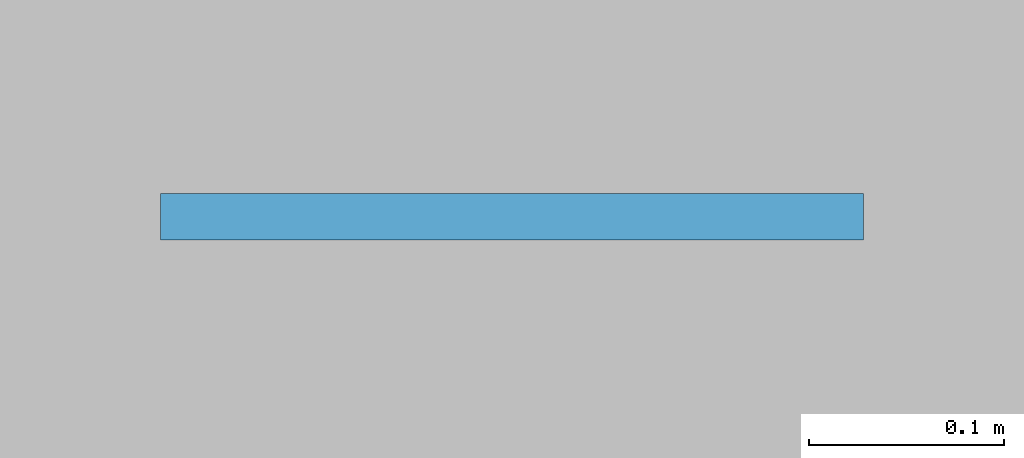
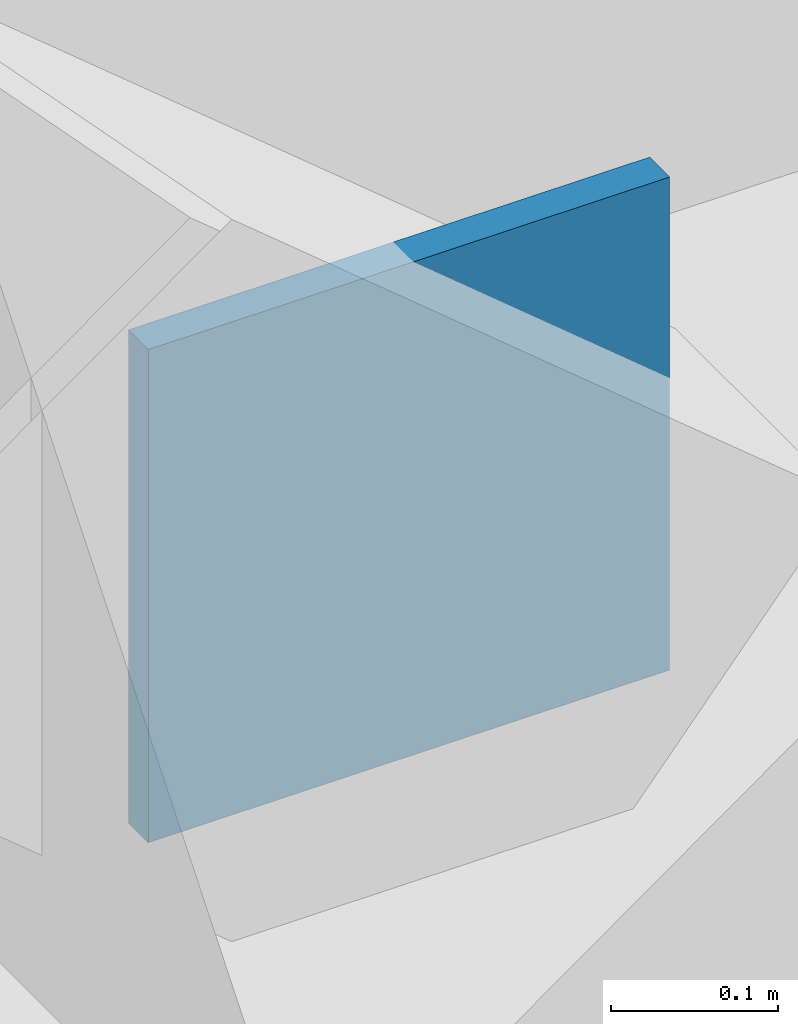
# One storey, part 115 of 152: 1 plate.
"""IFC4 building model written with IfcOpenShell, lengths in metres."""

from ifc_helpers import new_model, si_unit, direction, frame, origin, origin_2d, place, context, subcontext, project, spatial, rectangle, extrude, material, layer, layer_set, type_object, element, save


model = new_model("IFC4")

# Units and contexts
model_context = context("Model", 3, precision=1e-05, world=origin(), true_north=direction((0.0, 1.0)))
body_context = subcontext(model_context, "Body", "Model", "MODEL_VIEW")
ifc_project = project(units=[si_unit("LENGTHUNIT", "METRE"), si_unit("AREAUNIT", "SQUARE_METRE"), si_unit("VOLUMEUNIT", "CUBIC_METRE"), si_unit("PLANEANGLEUNIT", "RADIAN"), si_unit("MASSUNIT", "GRAM", prefix="KILO")], contexts=[model_context])

# Site, building, storey
site_placement = place(None, origin())
site = spatial("IfcSite", under=ifc_project, at=site_placement, CompositionType="ELEMENT")
building_placement = place(site_placement, origin())
building = spatial("IfcBuilding", under=site, at=building_placement, Name="Oolite Switchyard Hospital", CompositionType="ELEMENT")
storey_placement = place(building_placement, frame((0.0, 0.0, 5.10009765625)))
storey = spatial("IfcBuildingStorey", under=building, at=storey_placement, Name="L01", CompositionType="ELEMENT", Elevation=5.10009765625)

# Plate
ifc_material = material(Name="Steel ASTM A572 Grade 50", Category="steel")
ifc_layer = layer(ifc_material, 0.02392578125)
ifc_layer_set = layer_set([ifc_layer], Name="PLT-GUS-360")
plate_type = type_object("IfcPlateType", Name="PLT-GUS-360", PredefinedType="SHEET", material=ifc_layer_set)
plate_placement = place(storey_placement, frame((163.080078125, 8.39990234375, 0.02001953125), z_axis=(0.0, 0.0, 1.0), x_axis=(1.0, 0.0, 0.0)))
element("IfcPlate", 1, at=plate_placement, inside=storey, type_object=plate_type, Name="L01 Brace Base Gusset Plate 95", PredefinedType="SHEET", context=body_context, shape_type="SweptSolid", body=[
    extrude(rectangle(XDim=0.360107421875, YDim=0.02392578125, at=origin_2d()), origin(), (0.0, 0.0, 1.0), 0.360107421875),
])

save(model, "model.ifc")
